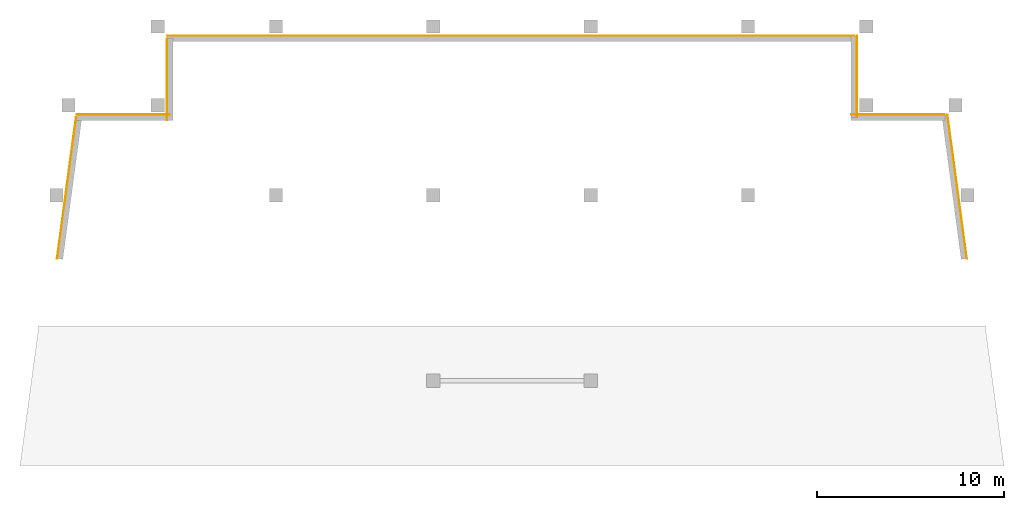
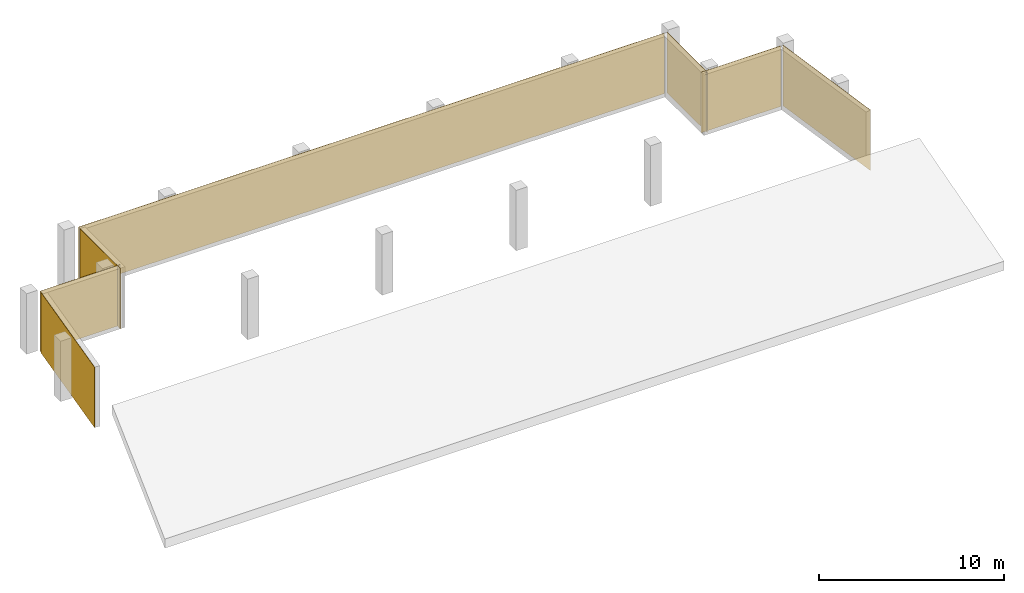
# One storey, part 2 of 2: 7 coverings.
"""IFC4 building model written with IfcOpenShell, lengths in metres."""

from ifc_helpers import new_model, si_unit, direction, frame, origin, origin_2d, place, context, subcontext, project, spatial, rectangle, extrude, material, layer, layer_set, type_object, element, save


model = new_model("IFC4")

# Units and contexts
model_context = context("Model", 3, precision=1e-05, world=origin(), true_north=direction((0.0, 1.0)))
body_context = subcontext(model_context, "Body", "Model", "MODEL_VIEW")
ifc_project = project(units=[si_unit("LENGTHUNIT", "METRE"), si_unit("AREAUNIT", "SQUARE_METRE"), si_unit("VOLUMEUNIT", "CUBIC_METRE"), si_unit("PLANEANGLEUNIT", "RADIAN"), si_unit("MASSUNIT", "GRAM", prefix="KILO")], contexts=[model_context])

# Site, building, storey
site_placement = place(None, origin())
site = spatial("IfcSite", under=ifc_project, at=site_placement, CompositionType="ELEMENT")
building_placement = place(site_placement, origin())
building = spatial("IfcBuilding", under=site, at=building_placement, Name="Candeia Pilgrim Tower and Theatre", CompositionType="ELEMENT")
storey_placement = place(building_placement, frame((0.0, 0.0, 324.39990234375)))
storey = spatial("IfcBuildingStorey", under=building, at=storey_placement, Name="L78", CompositionType="ELEMENT", Elevation=324.39990234375)

# Coverings
ifc_material = material(Name="Glazed ceramic tile bottle green")
ifc_layer = layer(ifc_material, 0.02001953125)
ifc_layer_set = layer_set([ifc_layer], Name="Glazed ceramic tile bottle green")
covering_type = type_object("IfcCoveringType", Name="Glazed ceramic tile bottle green", PredefinedType="CLADDING", material=ifc_layer_set)
covering_1_placement = place(storey_placement, frame((89.63623046875, 136.1962890625, 0.0), z_axis=(0.0, 0.0, 1.0), x_axis=(-0.133412012145, -0.991060661622, 0.0)))
element("IfcCovering", 1, at=covering_1_placement, inside=storey, type_object=covering_type, Name="Tile cladding bottle green L78", PredefinedType="CLADDING", context=body_context, shape_type="SweptSolid", body=[
    extrude(rectangle(XDim=7.6181640625, YDim=0.02001953125, at=origin_2d()), origin(), (0.0, 0.0, 1.0), 4.0),
])
covering_2_placement = place(storey_placement, frame((137.155029296875, 136.26123046875, 0.0), z_axis=(0.0, 0.0, 1.0), x_axis=(-0.133412012145, 0.991060661622, 0.0)))
element("IfcCovering", 2, at=covering_2_placement, inside=storey, type_object=covering_type, Name="Tile cladding bottle green L78", PredefinedType="CLADDING", context=body_context, shape_type="SweptSolid", body=[
    extrude(rectangle(XDim=7.749267578125, YDim=0.02001953125, at=origin_2d()), origin(), (0.0, 0.0, 1.0), 4.0),
])
covering_3_placement = place(storey_placement, frame((133.99853515625, 140.110107421875, 0.0), z_axis=(0.0, 0.0, 1.0), x_axis=(-1.0, 0.0, 0.0)))
element("IfcCovering", 3, at=covering_3_placement, inside=storey, type_object=covering_type, Name="Tile cladding bottle green L78", PredefinedType="CLADDING", context=body_context, shape_type="SweptSolid", body=[
    extrude(rectangle(XDim=4.9970703125, YDim=0.02001953125, at=origin_2d()), origin(), (0.0, 0.0, 1.0), 4.0),
])
covering_4_placement = place(storey_placement, frame((131.81005859375, 142.125, 0.0), z_axis=(0.0, 0.0, 1.0), x_axis=(0.0, 1.0, 0.0)))
element("IfcCovering", 4, at=covering_4_placement, inside=storey, type_object=covering_type, Name="Tile cladding bottle green L78", PredefinedType="CLADDING", context=body_context, shape_type="SweptSolid", body=[
    extrude(rectangle(XDim=4.35009765625, YDim=0.02001953125, at=origin_2d()), origin(), (0.0, 0.0, 1.0), 4.0),
])
covering_5_placement = place(storey_placement, frame((113.324951171875, 144.31005859375, 0.0), z_axis=(0.0, 0.0, 1.0), x_axis=(-1.0, 0.0, 0.0)))
element("IfcCovering", 5, at=covering_5_placement, inside=storey, type_object=covering_type, Name="Tile cladding bottle green L78", PredefinedType="CLADDING", context=body_context, shape_type="SweptSolid", body=[
    extrude(rectangle(XDim=36.64990234375, YDim=0.02001953125, at=origin_2d()), origin(), (0.0, 0.0, 1.0), 4.0),
])
covering_6_placement = place(storey_placement, frame((94.989990234375, 141.97509765625, 0.0), z_axis=(0.0, 0.0, 1.0), x_axis=(0.0, -1.0, 0.0)))
element("IfcCovering", 6, at=covering_6_placement, inside=storey, type_object=covering_type, Name="Tile cladding bottle green L78", PredefinedType="CLADDING", context=body_context, shape_type="SweptSolid", body=[
    extrude(rectangle(XDim=4.35009765625, YDim=0.02001953125, at=origin_2d()), origin(), (0.0, 0.0, 1.0), 4.0),
])
covering_7_placement = place(storey_placement, frame((92.660888671875, 140.110107421875, 0.0), z_axis=(0.0, 0.0, 1.0), x_axis=(-1.0, 0.0, 0.0)))
element("IfcCovering", 7, at=covering_7_placement, inside=storey, type_object=covering_type, Name="Tile cladding bottle green L78", PredefinedType="CLADDING", context=body_context, shape_type="SweptSolid", body=[
    extrude(rectangle(XDim=4.978271484375, YDim=0.02001953125, at=origin_2d()), origin(), (0.0, 0.0, 1.0), 4.0),
])

save(model, "model.ifc")
